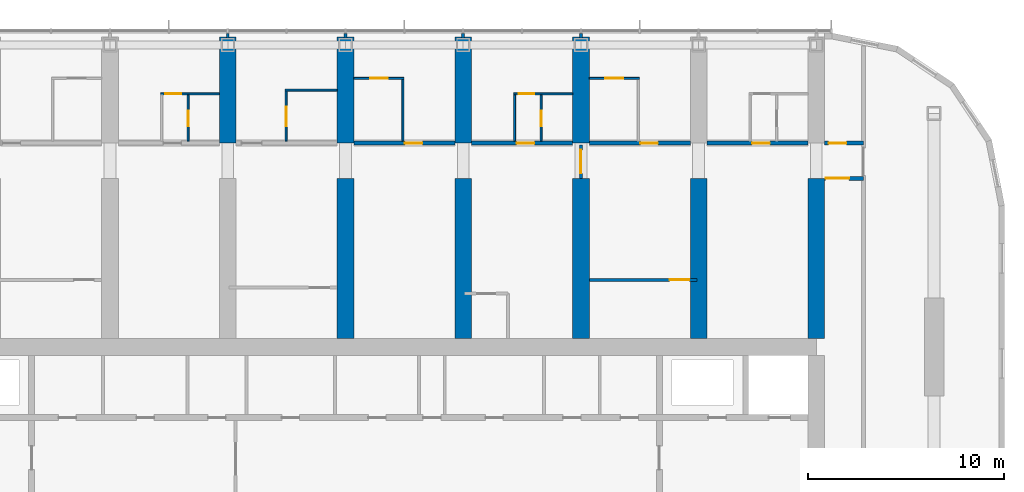
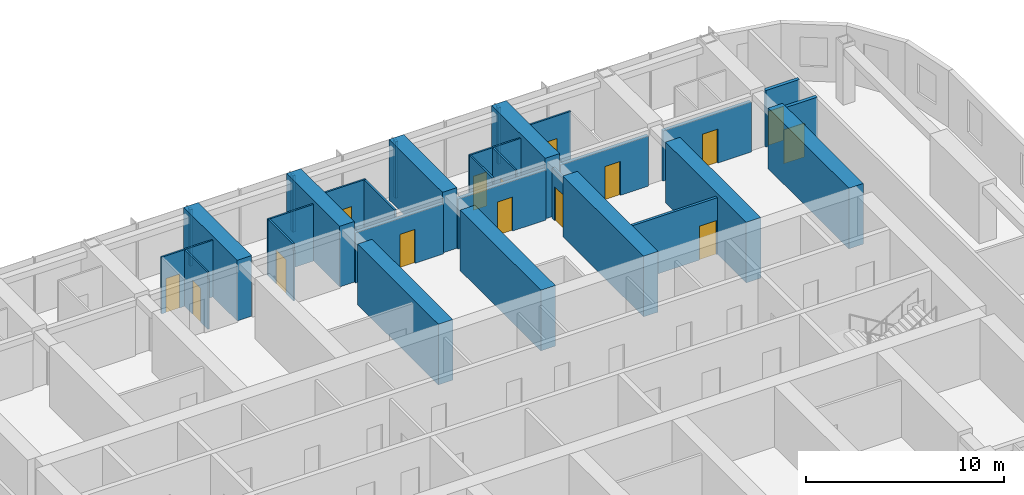
# One storey, part 16 of 22: 31 walls, 15 doors, 15 openings.
"""IFC4 building model written with IfcOpenShell, lengths in metres."""

from ifc_helpers import new_model, si_unit, direction, frame, frame_2d, origin, place, context, subcontext, project, spatial, polyline, rectangle, outline, extrude, material, layer, layer_set, type_object, element, fill, save


model = new_model("IFC4")

# Units and contexts
model_context = context("Model", 3, precision=1e-05, world=origin(), true_north=direction((0.0, 1.0)))
body_context = subcontext(model_context, "Body", "Model", "MODEL_VIEW")
ifc_project = project(units=[si_unit("LENGTHUNIT", "METRE"), si_unit("AREAUNIT", "SQUARE_METRE"), si_unit("VOLUMEUNIT", "CUBIC_METRE"), si_unit("PLANEANGLEUNIT", "RADIAN"), si_unit("MASSUNIT", "GRAM", prefix="KILO")], contexts=[model_context])

# Site, building, storey
site_placement = place(None, origin())
site = spatial("IfcSite", under=ifc_project, at=site_placement, CompositionType="ELEMENT")
building_placement = place(site_placement, origin())
building = spatial("IfcBuilding", under=site, at=building_placement, Name="Orbita Commons", CompositionType="ELEMENT")
storey_placement = place(building_placement, frame((0.0, 0.0, 186.10009765625)))
storey = spatial("IfcBuildingStorey", under=building, at=storey_placement, Name="L46", CompositionType="ELEMENT", Elevation=186.10009765625)

# Wall, opening, door
ifc_material_1 = material(Name="Concrete blockwork", Category="masonry")
ifc_layer_1 = layer(ifc_material_1, 0.199951171875)
ifc_layer_set_1 = layer_set([ifc_layer_1], Name="Concrete blockwork")
wall_type_1 = type_object("IfcWallType", Name="Corridor wall 200 blockwork", PredefinedType="SOLIDWALL", material=ifc_layer_set_1)
wall_1_placement = place(storey_placement, frame((42.425048828125, 48.60009765625, 0.0), z_axis=(0.0, 0.0, 1.0), x_axis=(1.0, 0.0, 0.0)))
wall_1 = element("IfcWall", 1, at=wall_1_placement, inside=storey, type_object=wall_type_1, Name="Corridor wall 200 blockwork L46", PredefinedType="SOLIDWALL", context=body_context, shape_type="SweptSolid", body=[
    extrude(outline(polyline([(0.0, 0.0), (5.14990234375, 0.0), (5.14990234375, 3.099853515625), (0.0, 3.099853515625), (0.0, 0.0)])), frame((0.0, 0.10009765625, 0.0), z_axis=(0.0, -1.0, 0.0), x_axis=(1.0, 0.0, 0.0)), (0.0, 0.0, 1.0), 0.199951171875),
])
opening_1_placement = place(wall_1_placement, frame((2.60009765625, 0.0, 0.0)))
opening_1 = element("IfcOpeningElement", 2, at=opening_1_placement, cuts=wall_1, Name="Opening D11", PredefinedType="OPENING", context=body_context, shape_type="SweptSolid", body=[
    extrude(rectangle(XDim=0.89990234375, YDim=2.10009765625, at=frame_2d((0.449951171875, 1.050048828125))), frame((0.0, 0.10986328125, 0.0), z_axis=(0.0, -1.0, 0.0), x_axis=(1.0, 0.0, 0.0)), (0.0, 0.0, 1.0), 0.219970703125),
])
ifc_material_2 = material(Name="Steel-faced fire door leaf", Category="steel")
door_type_1 = type_object("IfcDoorType", Name="Corridor door 20 min 900x2100", OperationType="SINGLE_SWING_LEFT", PredefinedType="DOOR", material=ifc_material_2)
door_1_placement = place(opening_1_placement, origin())
door_1 = element("IfcDoor", 3, at=door_1_placement, inside=storey, type_object=door_type_1, Name="Twin room L46-N08 door", OperationType="SINGLE_SWING_LEFT", OverallHeight=2.10009765625, OverallWidth=0.89990234375, PredefinedType="DOOR", context=body_context, shape_type="SweptSolid", body=[
    extrude(rectangle(XDim=0.89990234375, YDim=2.10009765625, at=frame_2d((0.449951171875, 1.050048828125))), frame((0.0, 0.02490234375, 0.0), z_axis=(0.0, -1.0, 0.0), x_axis=(1.0, 0.0, 0.0)), (0.0, 0.0, 1.0), 0.050048828125),
])
fill(opening_1, door_1)

wall_2_placement = place(storey_placement, frame((48.425048828125, 48.60009765625, 0.0), z_axis=(0.0, 0.0, 1.0), x_axis=(1.0, 0.0, 0.0)))
wall_2 = element("IfcWall", 4, at=wall_2_placement, inside=storey, type_object=wall_type_1, Name="Corridor wall 200 blockwork L46", PredefinedType="SOLIDWALL", context=body_context, shape_type="SweptSolid", body=[
    extrude(outline(polyline([(0.0, 0.0), (5.14990234375, 0.0), (5.14990234375, 3.099853515625), (0.0, 3.099853515625), (0.0, 0.0)])), frame((0.0, 0.10009765625, 0.0), z_axis=(0.0, -1.0, 0.0), x_axis=(1.0, 0.0, 0.0)), (0.0, 0.0, 1.0), 0.199951171875),
])
opening_2_placement = place(wall_2_placement, frame((2.300048828125, 0.0, 0.0)))
opening_2 = element("IfcOpeningElement", 5, at=opening_2_placement, cuts=wall_2, Name="Opening D11", PredefinedType="OPENING", context=body_context, shape_type="SweptSolid", body=[
    extrude(rectangle(XDim=0.89990234375, YDim=2.10009765625, at=frame_2d((0.449951171875, 1.050048828125))), frame((0.0, 0.10986328125, 0.0), z_axis=(0.0, -1.0, 0.0), x_axis=(1.0, 0.0, 0.0)), (0.0, 0.0, 1.0), 0.219970703125),
])
door_2_placement = place(opening_2_placement, origin())
door_2 = element("IfcDoor", 6, at=door_2_placement, inside=storey, type_object=door_type_1, Name="Studio flat L46-N10 entrance door", OperationType="SINGLE_SWING_LEFT", OverallHeight=2.10009765625, OverallWidth=0.89990234375, PredefinedType="DOOR", context=body_context, shape_type="SweptSolid", body=[
    extrude(rectangle(XDim=0.89990234375, YDim=2.10009765625, at=frame_2d((0.449951171875, 1.050048828125))), frame((0.0, 0.02490234375, 0.0), z_axis=(0.0, -1.0, 0.0), x_axis=(1.0, 0.0, 0.0)), (0.0, 0.0, 1.0), 0.050048828125),
])
fill(opening_2, door_2)

wall_3_placement = place(storey_placement, frame((54.425048828125, 48.60009765625, 0.0), z_axis=(0.0, 0.0, 1.0), x_axis=(1.0, 0.0, 0.0)))
wall_3 = element("IfcWall", 7, at=wall_3_placement, inside=storey, type_object=wall_type_1, Name="Corridor wall 200 blockwork L46", PredefinedType="SOLIDWALL", context=body_context, shape_type="SweptSolid", body=[
    extrude(outline(polyline([(0.0, 0.0), (5.14990234375, 0.0), (5.14990234375, 3.099853515625), (0.0, 3.099853515625), (0.0, 0.0)])), frame((0.0, 0.10009765625, 0.0), z_axis=(0.0, -1.0, 0.0), x_axis=(1.0, 0.0, 0.0)), (0.0, 0.0, 1.0), 0.199951171875),
])
opening_3_placement = place(wall_3_placement, frame((2.60009765625, 0.0, 0.0)))
opening_3 = element("IfcOpeningElement", 8, at=opening_3_placement, cuts=wall_3, Name="Opening D11", PredefinedType="OPENING", context=body_context, shape_type="SweptSolid", body=[
    extrude(rectangle(XDim=0.89990234375, YDim=2.10009765625, at=frame_2d((0.449951171875, 1.050048828125))), frame((0.0, 0.10986328125, 0.0), z_axis=(0.0, -1.0, 0.0), x_axis=(1.0, 0.0, 0.0)), (0.0, 0.0, 1.0), 0.219970703125),
])
door_3_placement = place(opening_3_placement, origin())
door_3 = element("IfcDoor", 9, at=door_3_placement, inside=storey, type_object=door_type_1, Name="Twin room L46-N12 door", OperationType="SINGLE_SWING_LEFT", OverallHeight=2.10009765625, OverallWidth=0.89990234375, PredefinedType="DOOR", context=body_context, shape_type="SweptSolid", body=[
    extrude(rectangle(XDim=0.89990234375, YDim=2.10009765625, at=frame_2d((0.449951171875, 1.050048828125))), frame((0.0, 0.02490234375, 0.0), z_axis=(0.0, -1.0, 0.0), x_axis=(1.0, 0.0, 0.0)), (0.0, 0.0, 1.0), 0.050048828125),
])
fill(opening_3, door_3)

wall_4_placement = place(storey_placement, frame((60.425048828125, 48.60009765625, 0.0), z_axis=(0.0, 0.0, 1.0), x_axis=(1.0, 0.0, 0.0)))
wall_4 = element("IfcWall", 10, at=wall_4_placement, inside=storey, type_object=wall_type_1, Name="Corridor wall 200 blockwork L46", PredefinedType="SOLIDWALL", context=body_context, shape_type="SweptSolid", body=[
    extrude(outline(polyline([(0.0, 0.0), (5.14990234375, 0.0), (5.14990234375, 3.099853515625), (0.0, 3.099853515625), (0.0, 0.0)])), frame((0.0, 0.10009765625, 0.0), z_axis=(0.0, -1.0, 0.0), x_axis=(1.0, 0.0, 0.0)), (0.0, 0.0, 1.0), 0.199951171875),
])
opening_4_placement = place(wall_4_placement, frame((2.300048828125, 0.0, 0.0)))
opening_4 = element("IfcOpeningElement", 11, at=opening_4_placement, cuts=wall_4, Name="Opening D11", PredefinedType="OPENING", context=body_context, shape_type="SweptSolid", body=[
    extrude(rectangle(XDim=0.89990234375, YDim=2.10009765625, at=frame_2d((0.449951171875, 1.050048828125))), frame((0.0, 0.10986328125, 0.0), z_axis=(0.0, -1.0, 0.0), x_axis=(1.0, 0.0, 0.0)), (0.0, 0.0, 1.0), 0.219970703125),
])
door_4_placement = place(opening_4_placement, origin())
door_4 = element("IfcDoor", 12, at=door_4_placement, inside=storey, type_object=door_type_1, Name="Studio flat L46-N14 entrance door", OperationType="SINGLE_SWING_LEFT", OverallHeight=2.10009765625, OverallWidth=0.89990234375, PredefinedType="DOOR", context=body_context, shape_type="SweptSolid", body=[
    extrude(rectangle(XDim=0.89990234375, YDim=2.10009765625, at=frame_2d((0.449951171875, 1.050048828125))), frame((0.0, 0.02490234375, 0.0), z_axis=(0.0, -1.0, 0.0), x_axis=(1.0, 0.0, 0.0)), (0.0, 0.0, 1.0), 0.050048828125),
])
fill(opening_4, door_4)

wall_5_placement = place(storey_placement, frame((66.425048828125, 48.60009765625, 0.0), z_axis=(0.0, 0.0, 1.0), x_axis=(1.0, 0.0, 0.0)))
wall_5 = element("IfcWall", 13, at=wall_5_placement, inside=storey, type_object=wall_type_1, Name="Corridor wall 200 blockwork L46", PredefinedType="SOLIDWALL", context=body_context, shape_type="SweptSolid", body=[
    extrude(rectangle(XDim=1.974853515625, YDim=0.199951171875, at=frame_2d((0.9873046875, 0.0))), origin(), (0.0, 0.0, 1.0), 3.5),
])
opening_5_placement = place(wall_5_placement, frame((0.199951171875, 0.0, 0.0)))
opening_5 = element("IfcOpeningElement", 14, at=opening_5_placement, cuts=wall_5, Name="Opening D05", PredefinedType="OPENING", context=body_context, shape_type="SweptSolid", body=[
    extrude(rectangle(XDim=0.89990234375, YDim=2.10009765625, at=frame_2d((0.449951171875, 1.050048828125))), frame((0.0, 0.10986328125, 0.0), z_axis=(0.0, -1.0, 0.0), x_axis=(1.0, 0.0, 0.0)), (0.0, 0.0, 1.0), 0.219970703125),
])
ifc_material_3 = material(Name="Steel-faced fire door leaf", Category="steel")
door_type_2 = type_object("IfcDoorType", Name="Service door 20 min 900x2100", OperationType="SINGLE_SWING_LEFT", PredefinedType="DOOR", material=ifc_material_3)
door_5_placement = place(opening_5_placement, origin())
door_5 = element("IfcDoor", 15, at=door_5_placement, inside=storey, type_object=door_type_2, Name="Linen store L46-KEN door", OperationType="SINGLE_SWING_LEFT", OverallHeight=2.10009765625, OverallWidth=0.89990234375, PredefinedType="DOOR", context=body_context, shape_type="SweptSolid", body=[
    extrude(rectangle(XDim=0.89990234375, YDim=2.10009765625, at=frame_2d((0.449951171875, 1.050048828125))), frame((0.0, 0.02490234375, 0.0), z_axis=(0.0, -1.0, 0.0), x_axis=(1.0, 0.0, 0.0)), (0.0, 0.0, 1.0), 0.050048828125),
])
fill(opening_5, door_5)

ifc_material_4 = material(Name="Hollow concrete block 200", Category="concrete")
ifc_layer_2 = layer(ifc_material_4, 0.199951171875)
ifc_layer_set_2 = layer_set([ifc_layer_2], Name="Hollow concrete block 200")
wall_type_2 = type_object("IfcWallType", Name="Corridor wall 200 hollow concrete block", PredefinedType="SOLIDWALL", material=ifc_layer_set_2)
wall_6_placement = place(storey_placement, frame((66.425048828125, 46.800048828125, 0.0), z_axis=(0.0, 0.0, 1.0), x_axis=(1.0, 0.0, 0.0)))
wall_6 = element("IfcWall", 16, at=wall_6_placement, inside=storey, type_object=wall_type_2, Name="Corridor wall 200 hollow concrete block L46", PredefinedType="SOLIDWALL", context=body_context, shape_type="SweptSolid", body=[
    extrude(rectangle(XDim=1.974853515625, YDim=0.199951171875, at=frame_2d((0.9873046875, 0.0))), origin(), (0.0, 0.0, 1.0), 3.5),
])
opening_6_placement = place(wall_6_placement, frame((0.050048828125, 0.0, 0.0)))
opening_6 = element("IfcOpeningElement", 17, at=opening_6_placement, cuts=wall_6, Name="Opening D12", PredefinedType="OPENING", context=body_context, shape_type="SweptSolid", body=[
    extrude(rectangle(XDim=1.199951171875, YDim=2.10009765625, at=frame_2d((0.60009765625, 1.050048828125))), frame((0.0, 0.10986328125, 0.0), z_axis=(0.0, -1.0, 0.0), x_axis=(1.0, 0.0, 0.0)), (0.0, 0.0, 1.0), 0.219970703125),
])
ifc_material_5 = material(Name="Steel-faced fire door leaf", Category="steel")
door_type_3 = type_object("IfcDoorType", Name="Double corridor door 20 min 1200x2100", OperationType="DOUBLE_DOOR_SINGLE_SWING", PredefinedType="DOOR", material=ifc_material_5)
door_6_placement = place(opening_6_placement, origin())
door_6 = element("IfcDoor", 18, at=door_6_placement, inside=storey, type_object=door_type_3, Name="Cross corridor doors", OperationType="DOUBLE_DOOR_SINGLE_SWING", OverallHeight=2.10009765625, OverallWidth=1.199951171875, PredefinedType="DOOR", context=body_context, shape_type="SweptSolid", body=[
    extrude(rectangle(XDim=1.199951171875, YDim=2.10009765625, at=frame_2d((0.60009765625, 1.050048828125))), frame((0.0, 0.02490234375, 0.0), z_axis=(0.0, -1.0, 0.0), x_axis=(1.0, 0.0, 0.0)), (0.0, 0.0, 1.0), 0.050048828125),
])
fill(opening_6, door_6)

# Walls
ifc_material_6 = material(Name="Concrete C50/60", Category="concrete")
ifc_layer_3 = layer(ifc_material_6, 0.85009765625)
ifc_layer_set_3 = layer_set([ifc_layer_3], Name="Concrete C50/60")
wall_type_3 = type_object("IfcWallType", Name="Cross wall 850 C50/60", PredefinedType="SHEAR", material=ifc_layer_set_3)
for number, where, z_axis, x_axis, name in (
    (19, (36.0, 48.60009765625, 0.0), (0.0, 0.0, 1.0), (0.0, 1.0, 0.0), "Cross wall 7 north outer L46"),
    (20, (42.0, 48.60009765625, 0.0), (0.0, 0.0, 1.0), (0.0, 1.0, 0.0), "Cross wall 8 north outer L46"),
):
    element("IfcWall", number, at=place(storey_placement, frame(where, z_axis=z_axis, x_axis=x_axis)), inside=storey, type_object=wall_type_3, Name=name, PredefinedType="SHEAR", context=body_context, shape_type="SweptSolid", body=[
        extrude(rectangle(XDim=5.39990234375, YDim=0.85009765625, at=frame_2d((2.699951171875, 0.0))), origin(), (0.0, 0.0, 1.0), 3.75),
    ])
wall_7_placement = place(storey_placement, frame((42.0, 38.625, 0.0), z_axis=(0.0, 0.0, 1.0), x_axis=(0.0, 1.0, 0.0)))
element("IfcWall", 21, at=wall_7_placement, inside=storey, type_object=wall_type_3, Name="Cross wall 8 north inner L46", PredefinedType="SHEAR", context=body_context, shape_type="SweptSolid", body=[
    extrude(rectangle(XDim=8.175048828125, YDim=0.85009765625, at=frame_2d((4.08740234375, 0.0))), origin(), (0.0, 0.0, 1.0), 3.75),
])
wall_8_placement = place(storey_placement, frame((48.0, 48.60009765625, 0.0), z_axis=(0.0, 0.0, 1.0), x_axis=(0.0, 1.0, 0.0)))
element("IfcWall", 22, at=wall_8_placement, inside=storey, type_object=wall_type_3, Name="Cross wall 9 north outer L46", PredefinedType="SHEAR", context=body_context, shape_type="SweptSolid", body=[
    extrude(rectangle(XDim=5.39990234375, YDim=0.85009765625, at=frame_2d((2.699951171875, 0.0))), origin(), (0.0, 0.0, 1.0), 3.75),
])
wall_9_placement = place(storey_placement, frame((48.0, 38.625, 0.0), z_axis=(0.0, 0.0, 1.0), x_axis=(0.0, 1.0, 0.0)))
element("IfcWall", 23, at=wall_9_placement, inside=storey, type_object=wall_type_3, Name="Cross wall 9 north inner L46", PredefinedType="SHEAR", context=body_context, shape_type="SweptSolid", body=[
    extrude(rectangle(XDim=8.175048828125, YDim=0.85009765625, at=frame_2d((4.08740234375, 0.0))), origin(), (0.0, 0.0, 1.0), 3.75),
])
wall_10_placement = place(storey_placement, frame((54.0, 48.60009765625, 0.0), z_axis=(0.0, 0.0, 1.0), x_axis=(0.0, 1.0, 0.0)))
element("IfcWall", 24, at=wall_10_placement, inside=storey, type_object=wall_type_3, Name="Cross wall 10 north outer L46", PredefinedType="SHEAR", context=body_context, shape_type="SweptSolid", body=[
    extrude(rectangle(XDim=5.39990234375, YDim=0.85009765625, at=frame_2d((2.699951171875, 0.0))), origin(), (0.0, 0.0, 1.0), 3.75),
])
for number, where, z_axis, x_axis, name in (
    (25, (54.0, 38.625, 0.0), (0.0, 0.0, 1.0), (0.0, 1.0, 0.0), "Cross wall 10 north inner L46"),
    (26, (60.0, 38.625, 0.0), (0.0, 0.0, 1.0), (0.0, 1.0, 0.0), "Cross wall 11 north inner L46"),
    (27, (66.0, 38.625, 0.0), (0.0, 0.0, 1.0), (0.0, 1.0, 0.0), "Cross wall 12 north inner L46"),
):
    element("IfcWall", number, at=place(storey_placement, frame(where, z_axis=z_axis, x_axis=x_axis)), inside=storey, type_object=wall_type_3, Name=name, PredefinedType="SHEAR", context=body_context, shape_type="SweptSolid", body=[
        extrude(rectangle(XDim=8.175048828125, YDim=0.85009765625, at=frame_2d((4.08740234375, 0.0))), origin(), (0.0, 0.0, 1.0), 3.75),
    ])

# Wall, opening, door
ifc_material_7 = material(Name="Moisture-resistant plasterboard on steel studs", Category="steel")
ifc_layer_4 = layer(ifc_material_7, 0.10009765625)
ifc_layer_set_4 = layer_set([ifc_layer_4], Name="Moisture-resistant plasterboard on steel studs")
wall_type_4 = type_object("IfcWallType", Name="En-suite partition 100", PredefinedType="PARTITIONING", material=ifc_layer_set_4)
wall_11_placement = place(storey_placement, frame((32.574951171875, 51.10009765625, 0.0), z_axis=(0.0, 0.0, 1.0), x_axis=(1.0, 0.0, 0.0)))
wall_11 = element("IfcWall", 28, at=wall_11_placement, inside=storey, type_object=wall_type_4, Name="En-suite partition 100 L46", PredefinedType="PARTITIONING", context=body_context, shape_type="SweptSolid", body=[
    extrude(rectangle(XDim=3.0, YDim=0.10009765625, at=frame_2d((1.5, 0.0))), origin(), (0.0, 0.0, 1.0), 3.5),
])
opening_7_placement = place(wall_11_placement, frame((0.25, 0.0, 0.0)))
opening_7 = element("IfcOpeningElement", 29, at=opening_7_placement, cuts=wall_11, Name="Opening D16", PredefinedType="OPENING", context=body_context, shape_type="SweptSolid", body=[
    extrude(rectangle(XDim=0.800048828125, YDim=2.10009765625, at=frame_2d((0.39990234375, 1.050048828125))), frame((0.0, 0.06005859375, 0.0), z_axis=(0.0, -1.0, 0.0), x_axis=(1.0, 0.0, 0.0)), (0.0, 0.0, 1.0), 0.1201171875),
])
ifc_material_8 = material(Name="Laminated timber door leaf", Category="wood")
door_type_4 = type_object("IfcDoorType", Name="En-suite door 800x2100", OperationType="SINGLE_SWING_RIGHT", PredefinedType="DOOR", material=ifc_material_8)
door_7_placement = place(opening_7_placement, origin())
door_7 = element("IfcDoor", 30, at=door_7_placement, inside=storey, type_object=door_type_4, Name="Studio flat L46-N04 door", OperationType="SINGLE_SWING_RIGHT", OverallHeight=2.10009765625, OverallWidth=0.800048828125, PredefinedType="DOOR", context=body_context, shape_type="SweptSolid", body=[
    extrude(rectangle(XDim=0.800048828125, YDim=2.10009765625, at=frame_2d((0.39990234375, 1.050048828125))), frame((0.0, 0.02490234375, 0.0), z_axis=(0.0, -1.0, 0.0), x_axis=(1.0, 0.0, 0.0)), (0.0, 0.0, 1.0), 0.050048828125),
])
fill(opening_7, door_7)

wall_12_placement = place(storey_placement, frame((33.97509765625, 51.050048828125, 0.0), z_axis=(0.0, 0.0, 1.0), x_axis=(0.0, -1.0, 0.0)))
wall_12 = element("IfcWall", 31, at=wall_12_placement, inside=storey, type_object=wall_type_4, Name="En-suite partition 100 L46", PredefinedType="PARTITIONING", context=body_context, shape_type="SweptSolid", body=[
    extrude(outline(polyline([(0.0, 0.0), (2.35009765625, 0.0), (2.35009765625, 3.099853515625), (2.302001953125, 3.099853515625), (2.300048828125, 3.5), (0.0, 3.5), (0.0, 0.0)])), frame((0.0, 0.050048828125, 0.0), z_axis=(0.0, -1.0, 0.0), x_axis=(1.0, 0.0, 0.0)), (0.0, 0.0, 1.0), 0.10009765625),
])
opening_8_placement = place(wall_12_placement, frame((0.800048828125, 0.0, 0.0)))
opening_8 = element("IfcOpeningElement", 32, at=opening_8_placement, cuts=wall_12, Name="Opening D16", PredefinedType="OPENING", context=body_context, shape_type="SweptSolid", body=[
    extrude(rectangle(XDim=0.800048828125, YDim=2.10009765625, at=frame_2d((0.39990234375, 1.050048828125))), frame((0.0, 0.06005859375, 0.0), z_axis=(0.0, -1.0, 0.0), x_axis=(1.0, 0.0, 0.0)), (0.0, 0.0, 1.0), 0.1201171875),
])
door_8_placement = place(opening_8_placement, origin())
door_8 = element("IfcDoor", 33, at=door_8_placement, inside=storey, type_object=door_type_4, Name="Studio flat shower room L46-N04 door", OperationType="SINGLE_SWING_RIGHT", OverallHeight=2.10009765625, OverallWidth=0.800048828125, PredefinedType="DOOR", context=body_context, shape_type="SweptSolid", body=[
    extrude(rectangle(XDim=0.800048828125, YDim=2.10009765625, at=frame_2d((0.39990234375, 1.050048828125))), frame((0.0, 0.02490234375, 0.0), z_axis=(0.0, -1.0, 0.0), x_axis=(1.0, 0.0, 0.0)), (0.0, 0.0, 1.0), 0.050048828125),
])
fill(opening_8, door_8)

# Wall
wall_13_placement = place(storey_placement, frame((38.925048828125, 51.300048828125, 0.0), z_axis=(0.0, 0.0, 1.0), x_axis=(1.0, 0.0, 0.0)))
element("IfcWall", 34, at=wall_13_placement, inside=storey, type_object=wall_type_4, Name="En-suite partition 100 L46", PredefinedType="PARTITIONING", context=body_context, shape_type="SweptSolid", body=[
    extrude(rectangle(XDim=2.64990234375, YDim=0.10009765625, at=frame_2d((1.324951171875, 0.0))), origin(), (0.0, 0.0, 1.0), 3.5),
])

# Wall, opening, door
wall_14_placement = place(storey_placement, frame((38.97509765625, 51.25, 0.0), z_axis=(0.0, 0.0, 1.0), x_axis=(0.0, -1.0, 0.0)))
wall_14 = element("IfcWall", 35, at=wall_14_placement, inside=storey, type_object=wall_type_4, Name="En-suite partition 100 L46", PredefinedType="PARTITIONING", context=body_context, shape_type="SweptSolid", body=[
    extrude(outline(polyline([(0.0, 0.0), (2.550048828125, 0.0), (2.550048828125, 3.099853515625), (2.501953125, 3.099853515625), (2.5, 3.5), (0.0, 3.5), (0.0, 0.0)])), frame((0.0, 0.050048828125, 0.0), z_axis=(0.0, -1.0, 0.0), x_axis=(1.0, 0.0, 0.0)), (0.0, 0.0, 1.0), 0.10009765625),
])
opening_9_placement = place(wall_14_placement, frame((0.800048828125, 0.0, 0.0)))
opening_9 = element("IfcOpeningElement", 36, at=opening_9_placement, cuts=wall_14, Name="Opening D13", PredefinedType="OPENING", context=body_context, shape_type="SweptSolid", body=[
    extrude(rectangle(XDim=1.0, YDim=2.10009765625, at=frame_2d((0.5, 1.050048828125))), frame((0.0, 0.06005859375, 0.0), z_axis=(0.0, -1.0, 0.0), x_axis=(1.0, 0.0, 0.0)), (0.0, 0.0, 1.0), 0.1201171875),
])
ifc_material_9 = material(Name="Laminated timber door leaf", Category="wood")
door_type_5 = type_object("IfcDoorType", Name="En-suite door 1000x2100", OperationType="SINGLE_SWING_RIGHT", PredefinedType="DOOR", material=ifc_material_9)
door_9_placement = place(opening_9_placement, origin())
door_9 = element("IfcDoor", 37, at=door_9_placement, inside=storey, type_object=door_type_5, Name="Accessible shower room L46-N06 door", OperationType="SINGLE_SWING_RIGHT", OverallHeight=2.10009765625, OverallWidth=1.0, PredefinedType="DOOR", context=body_context, shape_type="SweptSolid", body=[
    extrude(rectangle(XDim=1.0, YDim=2.10009765625, at=frame_2d((0.5, 1.050048828125))), frame((0.0, 0.02490234375, 0.0), z_axis=(0.0, -1.0, 0.0), x_axis=(1.0, 0.0, 0.0)), (0.0, 0.0, 1.0), 0.050048828125),
])
fill(opening_9, door_9)

wall_15_placement = place(storey_placement, frame((42.425048828125, 51.89990234375, 0.0), z_axis=(0.0, 0.0, 1.0), x_axis=(1.0, 0.0, 0.0)))
wall_15 = element("IfcWall", 38, at=wall_15_placement, inside=storey, type_object=wall_type_4, Name="En-suite partition 100 L46", PredefinedType="PARTITIONING", context=body_context, shape_type="SweptSolid", body=[
    extrude(rectangle(XDim=2.550048828125, YDim=0.10009765625, at=frame_2d((1.27490234375, 0.0))), origin(), (0.0, 0.0, 1.0), 3.5),
])
opening_10_placement = place(wall_15_placement, frame((0.824951171875, 0.0, 0.0)))
opening_10 = element("IfcOpeningElement", 39, at=opening_10_placement, cuts=wall_15, Name="Opening D09", PredefinedType="OPENING", context=body_context, shape_type="SweptSolid", body=[
    extrude(rectangle(XDim=0.89990234375, YDim=2.10009765625, at=frame_2d((0.449951171875, 1.050048828125))), frame((0.0, 0.06005859375, 0.0), z_axis=(0.0, -1.0, 0.0), x_axis=(1.0, 0.0, 0.0)), (0.0, 0.0, 1.0), 0.1201171875),
])
ifc_material_10 = material(Name="Laminated timber door leaf", Category="wood")
door_type_6 = type_object("IfcDoorType", Name="En-suite door 900x2100", OperationType="SINGLE_SWING_RIGHT", PredefinedType="DOOR", material=ifc_material_10)
door_10_placement = place(opening_10_placement, origin())
door_10 = element("IfcDoor", 40, at=door_10_placement, inside=storey, type_object=door_type_6, Name="En-suite L46-N08 door", OperationType="SINGLE_SWING_RIGHT", OverallHeight=2.10009765625, OverallWidth=0.89990234375, PredefinedType="DOOR", context=body_context, shape_type="SweptSolid", body=[
    extrude(rectangle(XDim=0.89990234375, YDim=2.10009765625, at=frame_2d((0.449951171875, 1.050048828125))), frame((0.0, 0.02490234375, 0.0), z_axis=(0.0, -1.0, 0.0), x_axis=(1.0, 0.0, 0.0)), (0.0, 0.0, 1.0), 0.050048828125),
])
fill(opening_10, door_10)

# Wall
wall_16_placement = place(storey_placement, frame((44.925048828125, 51.85009765625, 0.0), z_axis=(0.0, 0.0, 1.0), x_axis=(0.0, -1.0, 0.0)))
element("IfcWall", 41, at=wall_16_placement, inside=storey, type_object=wall_type_4, Name="En-suite partition 100 L46", PredefinedType="PARTITIONING", context=body_context, shape_type="SweptSolid", body=[
    extrude(outline(polyline([(0.0, 0.0), (3.150146484375, 0.0), (3.14990234375, 3.099853515625), (3.10205078125, 3.099853515625), (3.10009765625, 3.5), (0.0, 3.5), (0.0, 0.0)])), frame((0.0, 0.050048828125, 0.0), z_axis=(0.0, -1.0, 0.0), x_axis=(1.0, 0.0, 0.0)), (0.0, 0.0, 1.0), 0.10009765625),
])

# Wall, opening, door
wall_17_placement = place(storey_placement, frame((50.574951171875, 51.10009765625, 0.0), z_axis=(0.0, 0.0, 1.0), x_axis=(1.0, 0.0, 0.0)))
wall_17 = element("IfcWall", 42, at=wall_17_placement, inside=storey, type_object=wall_type_4, Name="En-suite partition 100 L46", PredefinedType="PARTITIONING", context=body_context, shape_type="SweptSolid", body=[
    extrude(rectangle(XDim=3.0, YDim=0.10009765625, at=frame_2d((1.5, 0.0))), origin(), (0.0, 0.0, 1.0), 3.5),
])
opening_11_placement = place(wall_17_placement, frame((0.25, 0.0, 0.0)))
opening_11 = element("IfcOpeningElement", 43, at=opening_11_placement, cuts=wall_17, Name="Opening D16", PredefinedType="OPENING", context=body_context, shape_type="SweptSolid", body=[
    extrude(rectangle(XDim=0.800048828125, YDim=2.10009765625, at=frame_2d((0.39990234375, 1.050048828125))), frame((0.0, 0.06005859375, 0.0), z_axis=(0.0, -1.0, 0.0), x_axis=(1.0, 0.0, 0.0)), (0.0, 0.0, 1.0), 0.1201171875),
])
door_11_placement = place(opening_11_placement, origin())
door_11 = element("IfcDoor", 44, at=door_11_placement, inside=storey, type_object=door_type_4, Name="Studio flat L46-N10 door", OperationType="SINGLE_SWING_RIGHT", OverallHeight=2.10009765625, OverallWidth=0.800048828125, PredefinedType="DOOR", context=body_context, shape_type="SweptSolid", body=[
    extrude(rectangle(XDim=0.800048828125, YDim=2.10009765625, at=frame_2d((0.39990234375, 1.050048828125))), frame((0.0, 0.02490234375, 0.0), z_axis=(0.0, -1.0, 0.0), x_axis=(1.0, 0.0, 0.0)), (0.0, 0.0, 1.0), 0.050048828125),
])
fill(opening_11, door_11)

# Wall
wall_18_placement = place(storey_placement, frame((50.625, 51.050048828125, 0.0), z_axis=(0.0, 0.0, 1.0), x_axis=(0.0, -1.0, 0.0)))
element("IfcWall", 45, at=wall_18_placement, inside=storey, type_object=wall_type_4, Name="En-suite partition 100 L46", PredefinedType="PARTITIONING", context=body_context, shape_type="SweptSolid", body=[
    extrude(outline(polyline([(0.0, 0.0), (2.35009765625, 0.0), (2.35009765625, 3.099853515625), (2.302001953125, 3.099853515625), (2.300048828125, 3.5), (0.0, 3.5), (0.0, 0.0)])), frame((0.0, 0.050048828125, 0.0), z_axis=(0.0, -1.0, 0.0), x_axis=(1.0, 0.0, 0.0)), (0.0, 0.0, 1.0), 0.10009765625),
])

# Wall, opening, door
wall_19_placement = place(storey_placement, frame((51.97509765625, 51.050048828125, 0.0), z_axis=(0.0, 0.0, 1.0), x_axis=(0.0, -1.0, 0.0)))
wall_19 = element("IfcWall", 46, at=wall_19_placement, inside=storey, type_object=wall_type_4, Name="En-suite partition 100 L46", PredefinedType="PARTITIONING", context=body_context, shape_type="SweptSolid", body=[
    extrude(outline(polyline([(0.0, 0.0), (2.35009765625, 0.0), (2.35009765625, 3.099853515625), (2.302001953125, 3.099853515625), (2.300048828125, 3.5), (0.0, 3.5), (0.0, 0.0)])), frame((0.0, 0.050048828125, 0.0), z_axis=(0.0, -1.0, 0.0), x_axis=(1.0, 0.0, 0.0)), (0.0, 0.0, 1.0), 0.10009765625),
])
opening_12_placement = place(wall_19_placement, frame((0.800048828125, 0.0, 0.0)))
opening_12 = element("IfcOpeningElement", 47, at=opening_12_placement, cuts=wall_19, Name="Opening D16", PredefinedType="OPENING", context=body_context, shape_type="SweptSolid", body=[
    extrude(rectangle(XDim=0.800048828125, YDim=2.10009765625, at=frame_2d((0.39990234375, 1.050048828125))), frame((0.0, 0.06005859375, 0.0), z_axis=(0.0, -1.0, 0.0), x_axis=(1.0, 0.0, 0.0)), (0.0, 0.0, 1.0), 0.1201171875),
])
door_12_placement = place(opening_12_placement, origin())
door_12 = element("IfcDoor", 48, at=door_12_placement, inside=storey, type_object=door_type_4, Name="Studio flat shower room L46-N10 door", OperationType="SINGLE_SWING_RIGHT", OverallHeight=2.10009765625, OverallWidth=0.800048828125, PredefinedType="DOOR", context=body_context, shape_type="SweptSolid", body=[
    extrude(rectangle(XDim=0.800048828125, YDim=2.10009765625, at=frame_2d((0.39990234375, 1.050048828125))), frame((0.0, 0.02490234375, 0.0), z_axis=(0.0, -1.0, 0.0), x_axis=(1.0, 0.0, 0.0)), (0.0, 0.0, 1.0), 0.050048828125),
])
fill(opening_12, door_12)

wall_20_placement = place(storey_placement, frame((54.425048828125, 51.89990234375, 0.0), z_axis=(0.0, 0.0, 1.0), x_axis=(1.0, 0.0, 0.0)))
wall_20 = element("IfcWall", 49, at=wall_20_placement, inside=storey, type_object=wall_type_4, Name="En-suite partition 100 L46", PredefinedType="PARTITIONING", context=body_context, shape_type="SweptSolid", body=[
    extrude(rectangle(XDim=2.550048828125, YDim=0.10009765625, at=frame_2d((1.27490234375, 0.0))), origin(), (0.0, 0.0, 1.0), 3.5),
])
opening_13_placement = place(wall_20_placement, frame((0.824951171875, 0.0, 0.0)))
opening_13 = element("IfcOpeningElement", 50, at=opening_13_placement, cuts=wall_20, Name="Opening D09", PredefinedType="OPENING", context=body_context, shape_type="SweptSolid", body=[
    extrude(rectangle(XDim=0.89990234375, YDim=2.10009765625, at=frame_2d((0.449951171875, 1.050048828125))), frame((0.0, 0.06005859375, 0.0), z_axis=(0.0, -1.0, 0.0), x_axis=(1.0, 0.0, 0.0)), (0.0, 0.0, 1.0), 0.1201171875),
])
door_13_placement = place(opening_13_placement, origin())
door_13 = element("IfcDoor", 51, at=door_13_placement, inside=storey, type_object=door_type_6, Name="En-suite L46-N12 door", OperationType="SINGLE_SWING_RIGHT", OverallHeight=2.10009765625, OverallWidth=0.89990234375, PredefinedType="DOOR", context=body_context, shape_type="SweptSolid", body=[
    extrude(rectangle(XDim=0.89990234375, YDim=2.10009765625, at=frame_2d((0.449951171875, 1.050048828125))), frame((0.0, 0.02490234375, 0.0), z_axis=(0.0, -1.0, 0.0), x_axis=(1.0, 0.0, 0.0)), (0.0, 0.0, 1.0), 0.050048828125),
])
fill(opening_13, door_13)

ifc_material_11 = material(Name="Gypsum plasterboard on steel studs", Category="steel")
ifc_layer_5 = layer(ifc_material_11, 0.14990234375)
ifc_layer_set_5 = layer_set([ifc_layer_5], Name="Gypsum plasterboard on steel studs")
wall_type_5 = type_object("IfcWallType", Name="Partition 150 plasterboard", PredefinedType="PARTITIONING", material=ifc_layer_set_5)
wall_21_placement = place(storey_placement, frame((59.925048828125, 41.625, 0.0), z_axis=(0.0, 0.0, 1.0), x_axis=(-1.0, 0.0, 0.0)))
wall_21 = element("IfcWall", 52, at=wall_21_placement, inside=storey, type_object=wall_type_5, Name="Partition 150 plasterboard L46", PredefinedType="PARTITIONING", context=body_context, shape_type="SweptSolid", body=[
    extrude(rectangle(XDim=5.5, YDim=0.14990234375, at=frame_2d((2.75, 0.0))), origin(), (0.0, 0.0, 1.0), 3.5),
])
opening_14_placement = place(wall_21_placement, frame((0.39990234375, 0.0, 0.0)))
opening_14 = element("IfcOpeningElement", 53, at=opening_14_placement, cuts=wall_21, Name="Opening D18", PredefinedType="OPENING", context=body_context, shape_type="SweptSolid", body=[
    extrude(rectangle(XDim=1.0, YDim=2.10009765625, at=frame_2d((0.5, 1.050048828125))), frame((0.0, 0.0849609375, 0.0), z_axis=(0.0, -1.0, 0.0), x_axis=(1.0, 0.0, 0.0)), (0.0, 0.0, 1.0), 0.169921875),
])
ifc_material_12 = material(Name="Steel-faced fire door leaf", Category="steel")
door_type_7 = type_object("IfcDoorType", Name="Service door 20 min 1000x2100", OperationType="SINGLE_SWING_LEFT", PredefinedType="DOOR", material=ifc_material_12)
door_14_placement = place(opening_14_placement, origin())
door_14 = element("IfcDoor", 54, at=door_14_placement, inside=storey, type_object=door_type_7, Name="Bulk and luggage store L46-BDN54 door", OperationType="SINGLE_SWING_LEFT", OverallHeight=2.10009765625, OverallWidth=1.0, PredefinedType="DOOR", context=body_context, shape_type="SweptSolid", body=[
    extrude(rectangle(XDim=1.0, YDim=2.10009765625, at=frame_2d((0.5, 1.050048828125))), frame((0.0, 0.02490234375, 0.0), z_axis=(0.0, -1.0, 0.0), x_axis=(1.0, 0.0, 0.0)), (0.0, 0.0, 1.0), 0.050048828125),
])
fill(opening_14, door_14)

wall_22_placement = place(storey_placement, frame((54.0, 46.800048828125, 0.0), z_axis=(0.0, 0.0, 1.0), x_axis=(0.0, 1.0, 0.0)))
wall_22 = element("IfcWall", 55, at=wall_22_placement, inside=storey, type_object=wall_type_5, Name="Partition 150 plasterboard L46", PredefinedType="PARTITIONING", context=body_context, shape_type="SweptSolid", body=[
    extrude(outline(polyline([(0.0, 0.0), (1.699951171875, 0.0), (1.699951171875, 3.099853515625), (0.0, 3.099853515625), (0.0, 0.0)])), frame((0.0, 0.074951171875, 0.0), z_axis=(0.0, -1.0, 0.0), x_axis=(1.0, 0.0, 0.0)), (0.0, 0.0, 1.0), 0.14990234375),
])
opening_15_placement = place(wall_22_placement, frame((0.25, 0.0, 0.0)))
opening_15 = element("IfcOpeningElement", 56, at=opening_15_placement, cuts=wall_22, Name="Opening D12", PredefinedType="OPENING", context=body_context, shape_type="SweptSolid", body=[
    extrude(rectangle(XDim=1.199951171875, YDim=2.10009765625, at=frame_2d((0.60009765625, 1.050048828125))), frame((0.0, 0.0849609375, 0.0), z_axis=(0.0, -1.0, 0.0), x_axis=(1.0, 0.0, 0.0)), (0.0, 0.0, 1.0), 0.169921875),
])
door_15_placement = place(opening_15_placement, origin())
door_15 = element("IfcDoor", 57, at=door_15_placement, inside=storey, type_object=door_type_3, Name="Social spine north screen doors", OperationType="DOUBLE_DOOR_SINGLE_SWING", OverallHeight=2.10009765625, OverallWidth=1.199951171875, PredefinedType="DOOR", context=body_context, shape_type="SweptSolid", body=[
    extrude(rectangle(XDim=1.199951171875, YDim=2.10009765625, at=frame_2d((0.60009765625, 1.050048828125))), frame((0.0, 0.02490234375, 0.0), z_axis=(0.0, -1.0, 0.0), x_axis=(1.0, 0.0, 0.0)), (0.0, 0.0, 1.0), 0.050048828125),
])
fill(opening_15, door_15)

# Walls
for number, where, z_axis, x_axis, name in (
    (58, (36.0, 53.949951171875, 0.0), (0.0, 0.0, 1.0), (0.0, 1.0, 0.0), "Partition 150 plasterboard L46"),
    (59, (42.0, 53.949951171875, 0.0), (0.0, 0.0, 1.0), (0.0, 1.0, 0.0), "Partition 150 plasterboard L46"),
    (60, (48.0, 53.949951171875, 0.0), (0.0, 0.0, 1.0), (0.0, 1.0, 0.0), "Partition 150 plasterboard L46"),
    (61, (54.0, 53.949951171875, 0.0), (0.0, 0.0, 1.0), (0.0, 1.0, 0.0), "Partition 150 plasterboard L46"),
):
    element("IfcWall", number, at=place(storey_placement, frame(where, z_axis=z_axis, x_axis=x_axis)), inside=storey, type_object=wall_type_5, Name=name, PredefinedType="PARTITIONING", context=body_context, shape_type="SweptSolid", body=[
        extrude(rectangle(XDim=0.239990234375, YDim=0.14990234375, at=frame_2d((0.1201171875, 0.0))), origin(), (0.0, 0.0, 1.0), 3.5),
    ])

save(model, "model.ifc")
